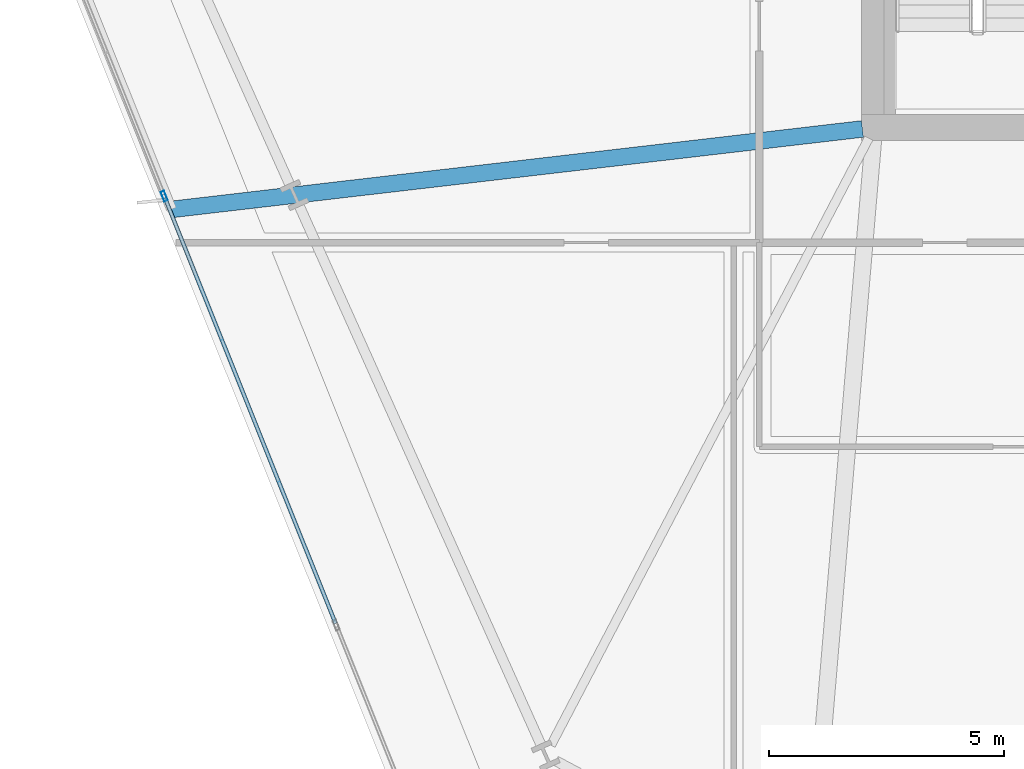
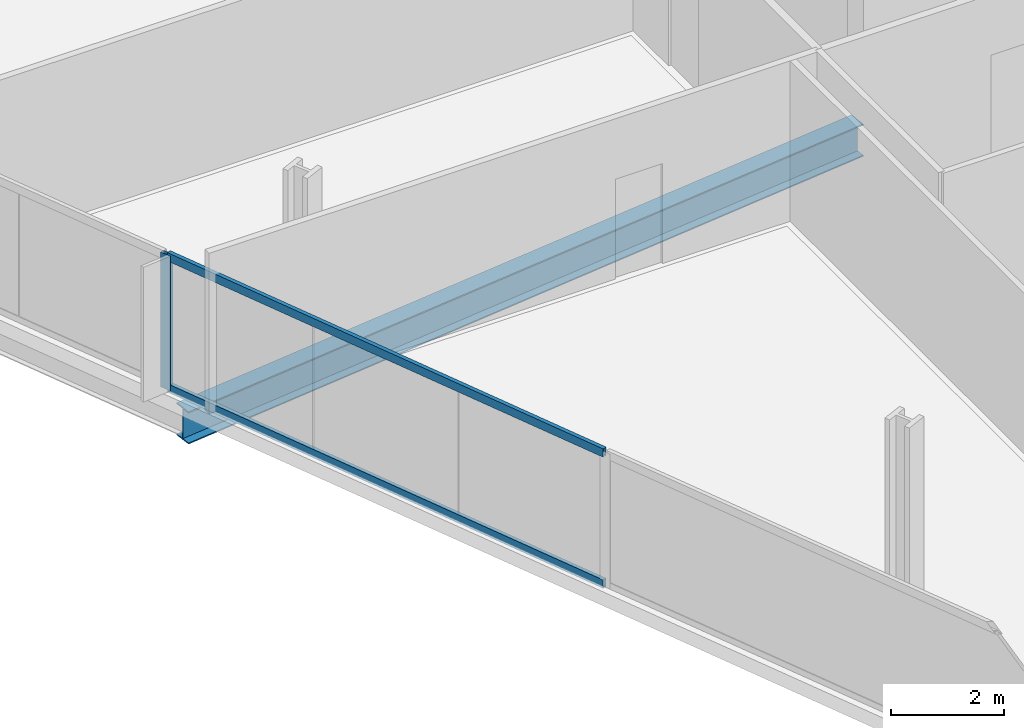
# One storey, part 5 of 33: 3 members, 1 beam, 1 element without a shape of its own.
"""IFC4 building model written with IfcOpenShell, lengths in metres."""

from ifc_helpers import new_model, si_unit, direction, frame, origin, origin_2d, place, context, subcontext, project, spatial, hollow_rectangle, i_section, extrude, material, material_profile, profile_set, type_object, element, aggregate, save


model = new_model("IFC4")

# Units and contexts
model_context = context("Model", 3, precision=1e-05, world=origin(), true_north=direction((0.0, 1.0)))
body_context = subcontext(model_context, "Body", "Model", "MODEL_VIEW")
ifc_project = project(units=[si_unit("LENGTHUNIT", "METRE"), si_unit("AREAUNIT", "SQUARE_METRE"), si_unit("VOLUMEUNIT", "CUBIC_METRE"), si_unit("PLANEANGLEUNIT", "RADIAN"), si_unit("MASSUNIT", "GRAM", prefix="KILO")], contexts=[model_context])

# Site, building, storey
site_placement = place(None, origin())
site = spatial("IfcSite", under=ifc_project, at=site_placement, CompositionType="ELEMENT")
building_placement = place(site_placement, origin())
building = spatial("IfcBuilding", under=site, at=building_placement, Name="Haldenkirk Collegiate Tower", CompositionType="ELEMENT")
storey_placement = place(building_placement, frame((0.0, 0.0, 101.699951171875)))
storey = spatial("IfcBuildingStorey", under=building, at=storey_placement, Name="L24", CompositionType="ELEMENT", Elevation=101.699951171875)

# Beam
ifc_material_1 = material(Name="Steel ASTM A992 Grade 50", Category="steel")
ifc_material_profile_1 = material_profile(ifc_material_1, i_section(OverallWidth=0.35498046875, OverallDepth=0.696044921875, WebThickness=0.015380859375, FlangeThickness=0.02490234375, at=origin_2d()), Name="W27X146")
ifc_profile_set_1 = profile_set([ifc_material_profile_1], Name="Steel ASTM A992 Grade 50")
beam_type = type_object("IfcBeamType", Name="BM-GIRDER-W27X146", PredefinedType="BEAM", material=ifc_profile_set_1)
beam_placement = place(storey_placement, frame((12.024169921875, 16.256103515625, -0.64794921875), z_axis=(0.993288425454, 0.115663753437, 0.0), x_axis=(-0.115663753437, 0.993288425454, 0.0)))
element("IfcBeam", 1, at=beam_placement, inside=storey, type_object=beam_type, Name="L24 primary floor girder 15", PredefinedType="BEAM", context=body_context, shape_type="SweptSolid", body=[
    extrude(i_section(OverallWidth=0.35498046875, OverallDepth=0.696044921875, WebThickness=0.015380859375, FlangeThickness=0.02490234375, at=origin_2d()), origin(), (0.0, 0.0, 1.0), 14.82177734375),
])

# Curtain wall, members
ifc_material_2 = material(Name="Anodised architectural bronze aluminium", Category="aluminium")
curtain_wall_type = type_object("IfcCurtainWallType", Name="CW-SYS1-CONVEX-LOW", PredefinedType="USERDEFINED", material=ifc_material_2)
curtain_wall_placement = place(storey_placement, origin())
curtain_wall = element("IfcCurtainWall", 2, at=curtain_wall_placement, inside=storey, type_object=curtain_wall_type, Name="L24 Lower tower convex bronze-framed unitised curtain wall", ObjectType="UNITISED CURTAIN WALL", PredefinedType="USERDEFINED")
ifc_material_profile_2 = material_profile(ifc_material_2, hollow_rectangle(XDim=0.080078125, YDim=0.219970703125, WallThickness=0.0048828125, at=origin_2d()), Name="CW-MUL-1A")
ifc_profile_set_2 = profile_set([ifc_material_profile_2], Name="Anodised architectural bronze aluminium")
member_type_1 = type_object("IfcMemberType", Name="CW-MUL-1A", PredefinedType="MULLION", material=ifc_profile_set_2)
member_1_placement = place(storey_placement, frame((11.86767578125, 16.538818359375, 0.0), z_axis=(0.0, 0.0, 1.0), x_axis=(-0.928162513726, -0.372175157841, 0.0)))
member_1 = element("IfcMember", 3, at=member_1_placement, type_object=member_type_1, Name="CW-1A mullion 3", PredefinedType="MULLION", context=body_context, shape_type="SweptSolid", body=[
    extrude(hollow_rectangle(XDim=0.080078125, YDim=0.219970703125, WallThickness=0.0048828125, at=origin_2d()), origin(), (0.0, 0.0, 1.0), 2.901123046875),
])
ifc_material_profile_3 = material_profile(ifc_material_2, hollow_rectangle(XDim=0.080078125, YDim=0.179931640625, WallThickness=0.0048828125, at=origin_2d()), Name="CW-TRN-1A")
ifc_profile_set_3 = profile_set([ifc_material_profile_3], Name="Anodised architectural bronze aluminium")
member_type_2 = type_object("IfcMemberType", Name="CW-TRN-1A", PredefinedType="USERDEFINED", material=ifc_profile_set_3)
member_2_placement = place(storey_placement, frame((15.518798828125, 7.43359375, 0.0400390625), z_axis=(-0.372183289337, 0.928159253112, 0.0), x_axis=(-0.928159253112, -0.372183289337, 0.0)))
member_2 = element("IfcMember", 4, at=member_2_placement, type_object=member_type_2, Name="CW-1A transom 2.1", ObjectType="TRANSOM", PredefinedType="USERDEFINED", context=body_context, shape_type="SweptSolid", body=[
    extrude(hollow_rectangle(XDim=0.080078125, YDim=0.179931640625, WallThickness=0.0048828125, at=origin_2d()), origin(), (0.0, 0.0, 1.0), 9.77001953125),
])
member_3_placement = place(storey_placement, frame((15.518798828125, 7.43359375, 2.861083984375), z_axis=(-0.372183289337, 0.928159253112, 0.0), x_axis=(-0.928159253112, -0.372183289337, 0.0)))
member_3 = element("IfcMember", 5, at=member_3_placement, type_object=member_type_2, Name="CW-1A transom 2.2", ObjectType="TRANSOM", PredefinedType="USERDEFINED", context=body_context, shape_type="SweptSolid", body=[
    extrude(hollow_rectangle(XDim=0.080078125, YDim=0.179931640625, WallThickness=0.0048828125, at=origin_2d()), origin(), (0.0, 0.0, 1.0), 9.77001953125),
])
aggregate(curtain_wall, [member_1, member_2, member_3])

save(model, "model.ifc")
